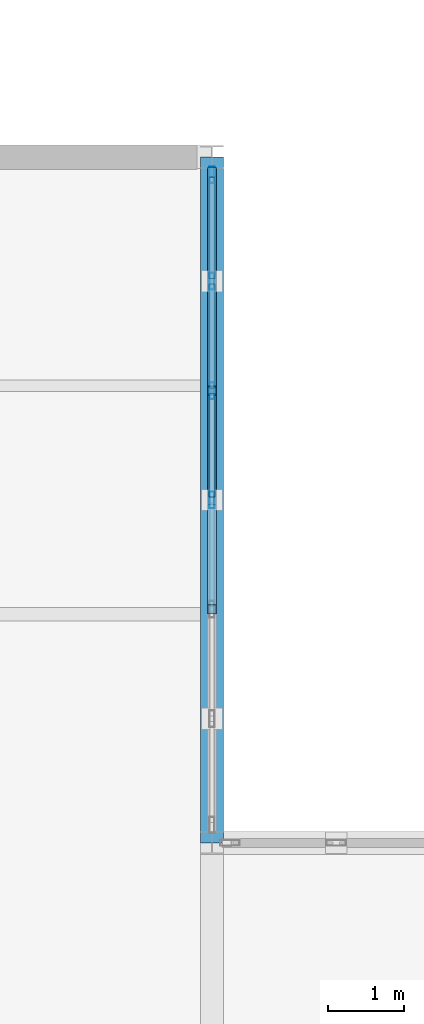
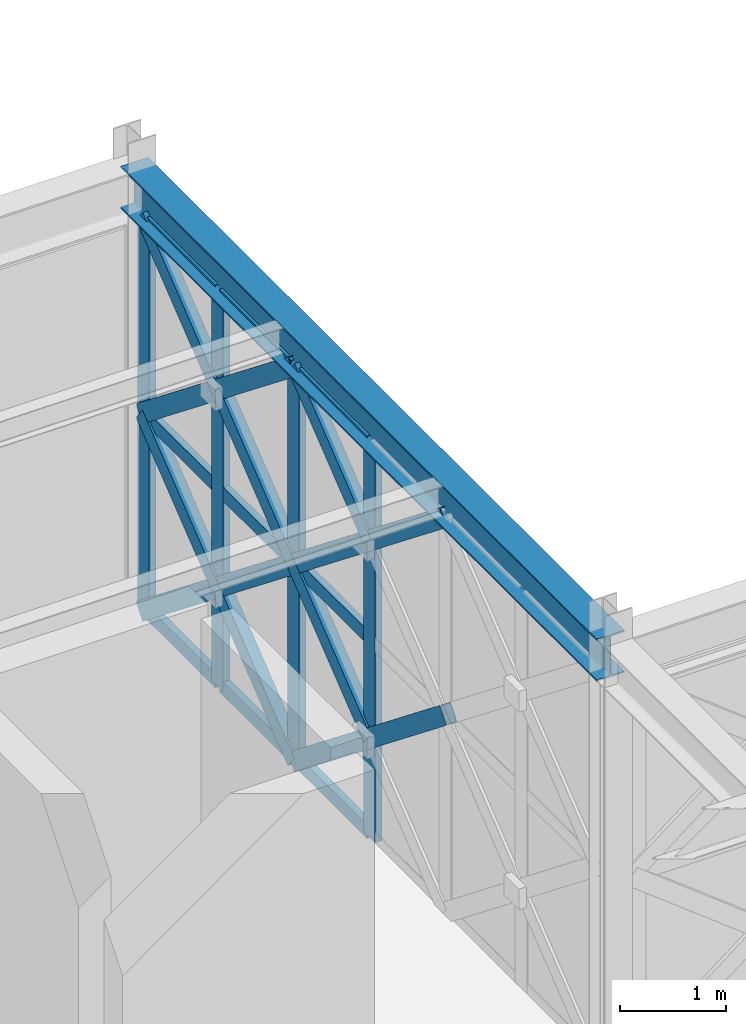
# One storey, part 45 of 155: 23 members, 1 beam, 1 element without a shape of its own.
"""IFC4 building model written with IfcOpenShell, lengths in metres."""

from ifc_helpers import new_model, si_unit, direction, frame, origin, origin_2d, place, context, subcontext, project, spatial, hollow_rectangle, i_section, extrude, material, material_profile, profile_set, type_object, element, aggregate, save


model = new_model("IFC4")

# Units and contexts
model_context = context("Model", 3, precision=1e-05, world=origin(), true_north=direction((0.0, 1.0)))
body_context = subcontext(model_context, "Body", "Model", "MODEL_VIEW")
ifc_project = project(units=[si_unit("LENGTHUNIT", "METRE"), si_unit("AREAUNIT", "SQUARE_METRE"), si_unit("VOLUMEUNIT", "CUBIC_METRE"), si_unit("PLANEANGLEUNIT", "RADIAN"), si_unit("MASSUNIT", "GRAM", prefix="KILO")], contexts=[model_context])

# Site, building, storey
site_placement = place(None, origin())
site = spatial("IfcSite", under=ifc_project, at=site_placement, CompositionType="ELEMENT")
building_placement = place(site_placement, origin())
building = spatial("IfcBuilding", under=site, at=building_placement, Name="Haizhuo Lancet Aquarium", CompositionType="ELEMENT")
storey_placement = place(building_placement, frame((0.0, 0.0, 10.800048828125)))
storey = spatial("IfcBuildingStorey", under=building, at=storey_placement, Name="L02", CompositionType="ELEMENT", Elevation=10.800048828125)

# Beam
ifc_material_1 = material(Name="Steel S355", Category="steel")
ifc_material_profile_1 = material_profile(ifc_material_1, i_section(OverallWidth=0.300048828125, OverallDepth=0.488037109375, WebThickness=0.010986328125, FlangeThickness=0.01806640625, FilletRadius=0.02392578125, at=origin_2d()), Name="HM 488x300x11x18")
ifc_profile_set_1 = profile_set([ifc_material_profile_1], Name="Steel S355")
beam_type = type_object("IfcBeamType", Name="BM-ST-HM488", PredefinedType="BEAM", material=ifc_profile_set_1)
beam_placement = place(storey_placement, frame((9.0, -36.0, 4.805908203125), z_axis=(0.0, 1.0, 0.0), x_axis=(-1.0, 0.0, 0.0)))
element("IfcBeam", 1, at=beam_placement, inside=storey, type_object=beam_type, Name="L02 V4 primary girder BM-L02-V4-024", PredefinedType="BEAM", context=body_context, shape_type="SweptSolid", body=[
    extrude(i_section(OverallWidth=0.300048828125, OverallDepth=0.488037109375, WebThickness=0.010986328125, FlangeThickness=0.01806640625, FilletRadius=0.02392578125, at=origin_2d()), origin(), (0.0, 0.0, 1.0), 9.0),
])

# Curtain wall, members
ifc_material_2 = material(Name="Aluminium 6063-T6", Category="aluminium")
curtain_wall_type = type_object("IfcCurtainWallType", Name="CWO-8610x4560", PredefinedType="NOTDEFINED", material=ifc_material_2)
curtain_wall_placement = place(storey_placement, origin())
curtain_wall = element("IfcCurtainWall", 2, at=curtain_wall_placement, inside=storey, type_object=curtain_wall_type, Name="L02 curtain wall CW-V4-L02-104", PredefinedType="NOTDEFINED")
ifc_material_profile_2 = material_profile(ifc_material_2, hollow_rectangle(XDim=0.074951171875, YDim=0.219970703125, WallThickness=0.0048828125, at=origin_2d()), Name="ALU-M 75x220x5")
ifc_profile_set_2 = profile_set([ifc_material_profile_2], Name="Aluminium 6063-T6")
member_type_1 = type_object("IfcMemberType", Name="CW-MUL-2", PredefinedType="MULLION", material=ifc_profile_set_2)
member_1_placement = place(storey_placement, frame((9.0, -27.23291015625, 0.0), z_axis=(0.0, 0.0, 1.0), x_axis=(1.0, 0.0, 0.0)))
member_1 = element("IfcMember", 3, at=member_1_placement, type_object=member_type_1, Name="CWO-86x45 mullion 1", PredefinedType="MULLION", context=body_context, shape_type="SweptSolid", body=[
    extrude(hollow_rectangle(XDim=0.074951171875, YDim=0.219970703125, WallThickness=0.0048828125, at=origin_2d()), origin(), (0.0, 0.0, 1.0), 4.56201171875),
])
member_2_placement = place(storey_placement, frame((9.0, -28.6298828125, 0.0), z_axis=(0.0, 0.0, 1.0), x_axis=(1.0, 0.0, 0.0)))
member_2 = element("IfcMember", 4, at=member_2_placement, type_object=member_type_1, Name="CWO-86x45 mullion 2", PredefinedType="MULLION", context=body_context, shape_type="SweptSolid", body=[
    extrude(hollow_rectangle(XDim=0.074951171875, YDim=0.219970703125, WallThickness=0.0048828125, at=origin_2d()), origin(), (0.0, 0.0, 1.0), 4.56201171875),
])
member_3_placement = place(storey_placement, frame((9.0, -30.06494140625, 0.0), z_axis=(0.0, 0.0, 1.0), x_axis=(1.0, 0.0, 0.0)))
member_3 = element("IfcMember", 5, at=member_3_placement, type_object=member_type_1, Name="CWO-86x45 mullion 3", PredefinedType="MULLION", context=body_context, shape_type="SweptSolid", body=[
    extrude(hollow_rectangle(XDim=0.074951171875, YDim=0.219970703125, WallThickness=0.0048828125, at=origin_2d()), origin(), (0.0, 0.0, 1.0), 4.56201171875),
])
member_4_placement = place(storey_placement, frame((9.0, -31.5, 0.0), z_axis=(0.0, 0.0, 1.0), x_axis=(1.0, 0.0, 0.0)))
member_4 = element("IfcMember", 6, at=member_4_placement, type_object=member_type_1, Name="CWO-86x45 mullion 4", PredefinedType="MULLION", context=body_context, shape_type="SweptSolid", body=[
    extrude(hollow_rectangle(XDim=0.074951171875, YDim=0.219970703125, WallThickness=0.0048828125, at=origin_2d()), origin(), (0.0, 0.0, 1.0), 4.56201171875),
])
ifc_material_profile_3 = material_profile(ifc_material_2, hollow_rectangle(XDim=0.074951171875, YDim=0.159912109375, WallThickness=0.00390625, at=origin_2d()), Name="ALU-T 75x160x4")
ifc_profile_set_3 = profile_set([ifc_material_profile_3], Name="Aluminium 6063-T6")
member_type_2 = type_object("IfcMemberType", Name="CW-TRN-2", PredefinedType="NOTDEFINED", material=ifc_profile_set_3)
member_5_placement = place(storey_placement, frame((9.0, -27.27001953125, 0.037841796875), z_axis=(0.0, -1.0, 0.0), x_axis=(1.0, 0.0, 0.0)))
member_5 = element("IfcMember", 7, at=member_5_placement, type_object=member_type_2, Name="CWO-86x45 transom 1.1", ObjectType="TRANSOM", PredefinedType="USERDEFINED", context=body_context, shape_type="SweptSolid", body=[
    extrude(hollow_rectangle(XDim=0.074951171875, YDim=0.159912109375, WallThickness=0.00390625, at=origin_2d()), origin(), (0.0, 0.0, 1.0), 1.322998046875),
])
member_6_placement = place(storey_placement, frame((9.0, -27.27001953125, 2.281005859375), z_axis=(0.0, -1.0, 0.0), x_axis=(1.0, 0.0, 0.0)))
member_6 = element("IfcMember", 8, at=member_6_placement, type_object=member_type_2, Name="CWO-86x45 transom 1.2", ObjectType="TRANSOM", PredefinedType="USERDEFINED", context=body_context, shape_type="SweptSolid", body=[
    extrude(hollow_rectangle(XDim=0.074951171875, YDim=0.159912109375, WallThickness=0.00390625, at=origin_2d()), origin(), (0.0, 0.0, 1.0), 1.322998046875),
])
member_7_placement = place(storey_placement, frame((9.0, -27.27001953125, 4.52490234375), z_axis=(0.0, -1.0, 0.0), x_axis=(1.0, 0.0, 0.0)))
member_7 = element("IfcMember", 9, at=member_7_placement, type_object=member_type_2, Name="CWO-86x45 transom 1.3", ObjectType="TRANSOM", PredefinedType="USERDEFINED", context=body_context, shape_type="SweptSolid", body=[
    extrude(hollow_rectangle(XDim=0.074951171875, YDim=0.159912109375, WallThickness=0.00390625, at=origin_2d()), origin(), (0.0, 0.0, 1.0), 1.322998046875),
])
member_8_placement = place(storey_placement, frame((9.0, -28.66796875, 0.037841796875), z_axis=(0.0, -1.0, 0.0), x_axis=(1.0, 0.0, 0.0)))
member_8 = element("IfcMember", 10, at=member_8_placement, type_object=member_type_2, Name="CWO-86x45 transom 2.1", ObjectType="TRANSOM", PredefinedType="USERDEFINED", context=body_context, shape_type="SweptSolid", body=[
    extrude(hollow_rectangle(XDim=0.074951171875, YDim=0.159912109375, WallThickness=0.00390625, at=origin_2d()), origin(), (0.0, 0.0, 1.0), 1.359130859375),
])
member_9_placement = place(storey_placement, frame((9.0, -28.66796875, 2.281005859375), z_axis=(0.0, -1.0, 0.0), x_axis=(1.0, 0.0, 0.0)))
member_9 = element("IfcMember", 11, at=member_9_placement, type_object=member_type_2, Name="CWO-86x45 transom 2.2", ObjectType="TRANSOM", PredefinedType="USERDEFINED", context=body_context, shape_type="SweptSolid", body=[
    extrude(hollow_rectangle(XDim=0.074951171875, YDim=0.159912109375, WallThickness=0.00390625, at=origin_2d()), origin(), (0.0, 0.0, 1.0), 1.359130859375),
])
member_10_placement = place(storey_placement, frame((9.0, -28.66796875, 4.52490234375), z_axis=(0.0, -1.0, 0.0), x_axis=(1.0, 0.0, 0.0)))
member_10 = element("IfcMember", 12, at=member_10_placement, type_object=member_type_2, Name="CWO-86x45 transom 2.3", ObjectType="TRANSOM", PredefinedType="USERDEFINED", context=body_context, shape_type="SweptSolid", body=[
    extrude(hollow_rectangle(XDim=0.074951171875, YDim=0.159912109375, WallThickness=0.00390625, at=origin_2d()), origin(), (0.0, 0.0, 1.0), 1.359130859375),
])
member_11_placement = place(storey_placement, frame((9.0, -30.10205078125, 0.037841796875), z_axis=(0.0, -1.0, 0.0), x_axis=(1.0, 0.0, 0.0)))
member_11 = element("IfcMember", 13, at=member_11_placement, type_object=member_type_2, Name="CWO-86x45 transom 3.1", ObjectType="TRANSOM", PredefinedType="USERDEFINED", context=body_context, shape_type="SweptSolid", body=[
    extrude(hollow_rectangle(XDim=0.074951171875, YDim=0.159912109375, WallThickness=0.00390625, at=origin_2d()), origin(), (0.0, 0.0, 1.0), 1.35986328125),
])
member_12_placement = place(storey_placement, frame((9.0, -30.10205078125, 2.281005859375), z_axis=(0.0, -1.0, 0.0), x_axis=(1.0, 0.0, 0.0)))
member_12 = element("IfcMember", 14, at=member_12_placement, type_object=member_type_2, Name="CWO-86x45 transom 3.2", ObjectType="TRANSOM", PredefinedType="USERDEFINED", context=body_context, shape_type="SweptSolid", body=[
    extrude(hollow_rectangle(XDim=0.074951171875, YDim=0.159912109375, WallThickness=0.00390625, at=origin_2d()), origin(), (0.0, 0.0, 1.0), 1.35986328125),
])
member_13_placement = place(storey_placement, frame((9.0, -30.10205078125, 4.52490234375), z_axis=(0.0, -1.0, 0.0), x_axis=(1.0, 0.0, 0.0)))
member_13 = element("IfcMember", 15, at=member_13_placement, type_object=member_type_2, Name="CWO-86x45 transom 3.3", ObjectType="TRANSOM", PredefinedType="USERDEFINED", context=body_context, shape_type="SweptSolid", body=[
    extrude(hollow_rectangle(XDim=0.074951171875, YDim=0.159912109375, WallThickness=0.00390625, at=origin_2d()), origin(), (0.0, 0.0, 1.0), 1.35986328125),
])
aggregate(curtain_wall, [member_1, member_2, member_3, member_4, member_5, member_6, member_7, member_8, member_9, member_10, member_11, member_12, member_13])

# Members
ifc_material_profile_4 = material_profile(ifc_material_1, hollow_rectangle(XDim=0.1201171875, YDim=0.199951171875, WallThickness=0.008056640625, at=origin_2d()), Name="RHS 120x200x8")
ifc_profile_set_4 = profile_set([ifc_material_profile_4], Name="Steel S355")
member_type_3 = type_object("IfcMemberType", Name="MEM-LB-RHS120x200", PredefinedType="BRACE", material=ifc_profile_set_4)
member_14_placement = place(storey_placement, frame((9.0, -27.195068359375, 0.0), z_axis=(0.0, -0.78284654434, 0.622214824651), x_axis=(1.0, 0.0, 0.0)))
element("IfcMember", 16, at=member_14_placement, inside=storey, type_object=member_type_3, Name="Gothic lancet continuous diagonal brace CW-V4-L02-104 1A", PredefinedType="BRACE", context=body_context, shape_type="SweptSolid", body=[
    extrude(hollow_rectangle(XDim=0.1201171875, YDim=0.199951171875, WallThickness=0.008056640625, at=origin_2d()), origin(), (0.0, 0.0, 1.0), 3.666015625),
])
member_15_placement = place(storey_placement, frame((9.0, -30.06494140625, 0.0), z_axis=(0.0, 0.78277501707, 0.622304806868), x_axis=(-1.0, 0.0, 0.0)))
element("IfcMember", 17, at=member_15_placement, inside=storey, type_object=member_type_3, Name="Gothic lancet split diagonal brace CW-V4-L02-104 1B1", PredefinedType="BRACE", context=body_context, shape_type="SweptSolid", body=[
    extrude(hollow_rectangle(XDim=0.1201171875, YDim=0.199951171875, WallThickness=0.008056640625, at=origin_2d()), origin(), (0.0, 0.0, 1.0), 1.833251953125),
])
member_16_placement = place(storey_placement, frame((9.0, -28.6298828125, 1.140869140625), z_axis=(0.0, 0.782918086507, 0.622124802448), x_axis=(-1.0, 0.0, 0.0)))
element("IfcMember", 18, at=member_16_placement, inside=storey, type_object=member_type_3, Name="Gothic lancet split diagonal brace CW-V4-L02-104 1B2", PredefinedType="BRACE", context=body_context, shape_type="SweptSolid", body=[
    extrude(hollow_rectangle(XDim=0.1201171875, YDim=0.199951171875, WallThickness=0.008056640625, at=origin_2d()), origin(), (0.0, 0.0, 1.0), 1.832763671875),
])
member_17_placement = place(storey_placement, frame((9.0, -27.195068359375, 2.281005859375), z_axis=(0.0, -0.78284654434, 0.622214824651), x_axis=(1.0, 0.0, 0.0)))
element("IfcMember", 19, at=member_17_placement, inside=storey, type_object=member_type_3, Name="Gothic lancet continuous diagonal brace CW-V4-L02-104 2A", PredefinedType="BRACE", context=body_context, shape_type="SweptSolid", body=[
    extrude(hollow_rectangle(XDim=0.1201171875, YDim=0.199951171875, WallThickness=0.008056640625, at=origin_2d()), origin(), (0.0, 0.0, 1.0), 3.666015625),
])
member_18_placement = place(storey_placement, frame((9.0, -30.06494140625, 2.281005859375), z_axis=(0.0, 0.783034517143, 0.621978251198), x_axis=(-1.0, 0.0, 0.0)))
element("IfcMember", 20, at=member_18_placement, inside=storey, type_object=member_type_3, Name="Gothic lancet split diagonal brace CW-V4-L02-104 2B1", PredefinedType="BRACE", context=body_context, shape_type="SweptSolid", body=[
    extrude(hollow_rectangle(XDim=0.1201171875, YDim=0.199951171875, WallThickness=0.008056640625, at=origin_2d()), origin(), (0.0, 0.0, 1.0), 1.832763671875),
])
member_19_placement = place(storey_placement, frame((9.0, -28.6298828125, 3.4208984375), z_axis=(0.0, 0.782658558378, 0.62245126797), x_axis=(-1.0, 0.0, 0.0)))
element("IfcMember", 21, at=member_19_placement, inside=storey, type_object=member_type_3, Name="Gothic lancet split diagonal brace CW-V4-L02-104 2B2", PredefinedType="BRACE", context=body_context, shape_type="SweptSolid", body=[
    extrude(hollow_rectangle(XDim=0.1201171875, YDim=0.199951171875, WallThickness=0.008056640625, at=origin_2d()), origin(), (0.0, 0.0, 1.0), 1.833251953125),
])
member_20_placement = place(storey_placement, frame((9.0, -30.06494140625, 0.0), z_axis=(0.0, -0.782872325399, 0.622182386543), x_axis=(1.0, 0.0, 0.0)))
element("IfcMember", 22, at=member_20_placement, inside=storey, type_object=member_type_3, Name="Gothic lancet continuous diagonal brace CW-V4-L02-104 3A", PredefinedType="BRACE", context=body_context, shape_type="SweptSolid", body=[
    extrude(hollow_rectangle(XDim=0.1201171875, YDim=0.199951171875, WallThickness=0.008056640625, at=origin_2d()), origin(), (0.0, 0.0, 1.0), 3.666015625),
])
member_21_placement = place(storey_placement, frame((9.0, -31.5, 1.140869140625), z_axis=(0.0, 0.782969638769, 0.62205992056), x_axis=(-1.0, 0.0, 0.0)))
element("IfcMember", 23, at=member_21_placement, inside=storey, type_object=member_type_3, Name="Gothic lancet split diagonal brace CW-V4-L02-104 3B2", PredefinedType="BRACE", context=body_context, shape_type="SweptSolid", body=[
    extrude(hollow_rectangle(XDim=0.1201171875, YDim=0.199951171875, WallThickness=0.008056640625, at=origin_2d()), origin(), (0.0, 0.0, 1.0), 1.832763671875),
])
member_22_placement = place(storey_placement, frame((9.0, -30.06494140625, 2.281005859375), z_axis=(0.0, -0.782872325399, 0.622182386543), x_axis=(1.0, 0.0, 0.0)))
element("IfcMember", 24, at=member_22_placement, inside=storey, type_object=member_type_3, Name="Gothic lancet continuous diagonal brace CW-V4-L02-104 4A", PredefinedType="BRACE", context=body_context, shape_type="SweptSolid", body=[
    extrude(hollow_rectangle(XDim=0.1201171875, YDim=0.199951171875, WallThickness=0.008056640625, at=origin_2d()), origin(), (0.0, 0.0, 1.0), 3.666015625),
])
member_23_placement = place(storey_placement, frame((9.0, -31.5, 3.4208984375), z_axis=(0.0, 0.782710147658, 0.622386395058), x_axis=(-1.0, 0.0, 0.0)))
element("IfcMember", 25, at=member_23_placement, inside=storey, type_object=member_type_3, Name="Gothic lancet split diagonal brace CW-V4-L02-104 4B2", PredefinedType="BRACE", context=body_context, shape_type="SweptSolid", body=[
    extrude(hollow_rectangle(XDim=0.1201171875, YDim=0.199951171875, WallThickness=0.008056640625, at=origin_2d()), origin(), (0.0, 0.0, 1.0), 1.83349609375),
])

save(model, "model.ifc")
